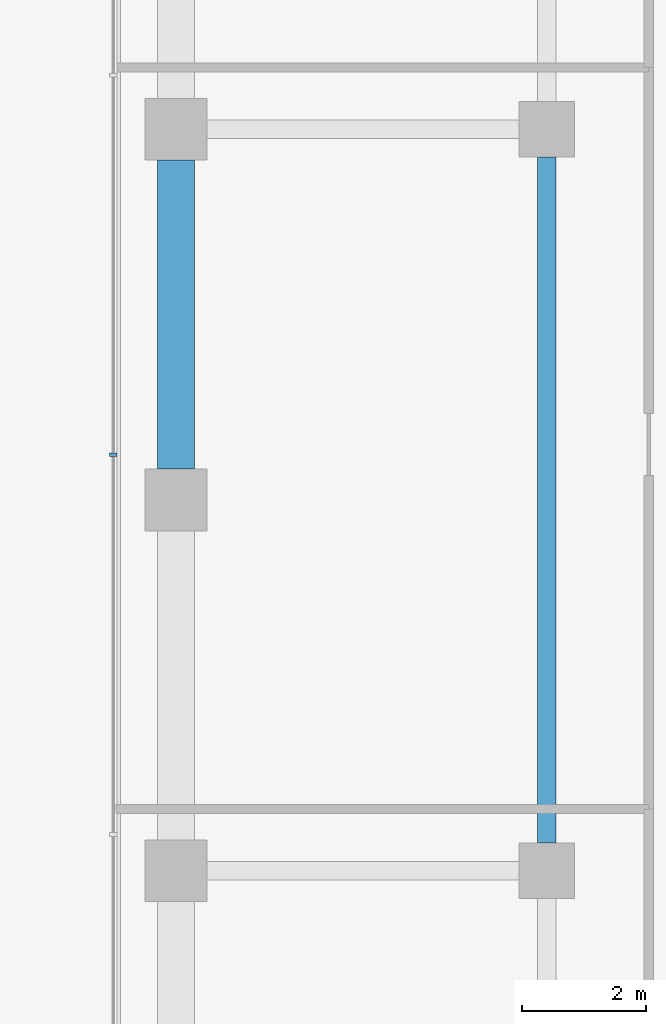
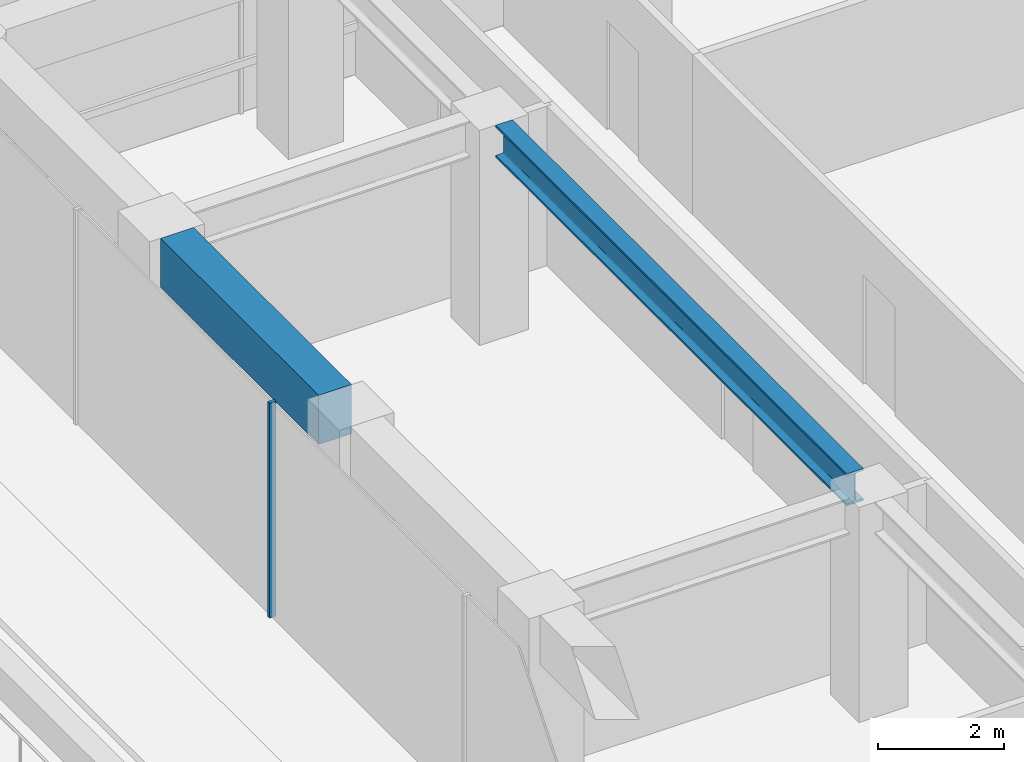
# One storey, part 15 of 31: 2 beams, 1 member, 1 element without a shape of its own.
"""IFC4 building model written with IfcOpenShell, lengths in metres."""

from ifc_helpers import new_model, si_unit, direction, frame, origin, origin_2d, place, context, subcontext, project, spatial, rectangle, i_section, extrude, material, layer, layer_set, material_profile, profile_set, type_object, element, aggregate, save


model = new_model("IFC4")

# Units and contexts
model_context = context("Model", 3, precision=1e-05, world=origin(), true_north=direction((0.0, 1.0)))
body_context = subcontext(model_context, "Body", "Model", "MODEL_VIEW")
ifc_project = project(units=[si_unit("LENGTHUNIT", "METRE"), si_unit("AREAUNIT", "SQUARE_METRE"), si_unit("VOLUMEUNIT", "CUBIC_METRE"), si_unit("PLANEANGLEUNIT", "RADIAN"), si_unit("MASSUNIT", "GRAM", prefix="KILO")], contexts=[model_context])

# Site, building, storey
site_placement = place(None, origin())
site = spatial("IfcSite", under=ifc_project, at=site_placement, CompositionType="ELEMENT")
building_placement = place(site_placement, origin())
building = spatial("IfcBuilding", under=site, at=building_placement, Name="Welwitschia Terrace Campus", CompositionType="ELEMENT")
storey_placement = place(building_placement, frame((0.0, 0.0, 11.0)))
storey = spatial("IfcBuildingStorey", under=building, at=storey_placement, Name="L02", CompositionType="ELEMENT", Elevation=11.0)

# Beam
ifc_material_1 = material(Name="Steel S355", Category="steel")
ifc_material_profile_1 = material_profile(ifc_material_1, i_section(OverallWidth=0.304931640625, OverallDepth=0.6201171875, WebThickness=0.02099609375, FlangeThickness=0.0400390625, FilletRadius=0.027099609375, at=origin_2d()))
ifc_profile_set_1 = profile_set([ifc_material_profile_1], Name="Steel S355")
beam_type_1 = type_object("IfcBeamType", Name="Interior girder HE 600 M", PredefinedType="BEAM", material=ifc_profile_set_1)
beam_1_placement = place(storey_placement, frame((6.0, 44.450439453125, 3.840087890625), z_axis=(0.0, 1.0, 0.0), x_axis=(-1.0, 0.0, 0.0)))
element("IfcBeam", 1, at=beam_1_placement, inside=storey, type_object=beam_type_1, Name="Girder GB1", PredefinedType="BEAM", context=body_context, shape_type="SweptSolid", body=[
    extrude(i_section(OverallWidth=0.304931640625, OverallDepth=0.6201171875, WebThickness=0.02099609375, FlangeThickness=0.0400390625, FilletRadius=0.027099609375, at=origin_2d()), origin(), (0.0, 0.0, 1.0), 11.09912109375),
])

# Curtain wall, member
ifc_material_2 = material(Name="Bronze anodised aluminium", Category="aluminium")
ifc_layer = layer(ifc_material_2, 0.1201171875)
ifc_layer_set = layer_set([ifc_layer], Name="Bronze anodised aluminium")
curtain_wall_type = type_object("IfcCurtainWallType", Name="Curtain wall CW2 tower 6000", PredefinedType="NOTDEFINED", material=ifc_layer_set)
curtain_wall_placement = place(storey_placement, origin())
curtain_wall = element("IfcCurtainWall", 2, at=curtain_wall_placement, inside=storey, type_object=curtain_wall_type, Name="CW L02.9.0", PredefinedType="NOTDEFINED")
ifc_material_3 = material(Name="Bronze anodised aluminium", Category="aluminium")
ifc_material_profile_2 = material_profile(ifc_material_3, rectangle(XDim=0.1201171875, YDim=0.06005859375, at=origin_2d()))
ifc_profile_set_2 = profile_set([ifc_material_profile_2], Name="Bronze anodised aluminium")
member_type = type_object("IfcMemberType", Name="Mullion 60x120", PredefinedType="MULLION", material=ifc_profile_set_2)
member_placement = place(storey_placement, frame((-1.02001953125, 50.7314453125, 0.0), z_axis=(0.0, 0.0, 1.0), x_axis=(1.0, 0.0, 0.0)))
member = element("IfcMember", 3, at=member_placement, type_object=member_type, Name="Mullion L02.9.0.2", PredefinedType="MULLION", context=body_context, shape_type="SweptSolid", body=[
    extrude(rectangle(XDim=0.1201171875, YDim=0.06005859375, at=origin_2d()), origin(), (0.0, 0.0, 1.0), 4.14990234375),
])
aggregate(curtain_wall, [member])

# Beam
ifc_material_4 = material(Name="Concrete C60/75", Category="concrete")
ifc_material_profile_3 = material_profile(ifc_material_4, rectangle(XDim=0.60009765625, YDim=0.949951171875, at=origin_2d()))
ifc_profile_set_3 = profile_set([ifc_material_profile_3], Name="Concrete C60/75")
beam_type_2 = type_object("IfcBeamType", Name="Ring spandrel 600x950", PredefinedType="SPANDREL", material=ifc_profile_set_3)
beam_2_placement = place(storey_placement, frame((0.0, 55.49951171875, 3.675048828125), z_axis=(0.0, -1.0, 0.0), x_axis=(1.0, 0.0, 0.0)))
element("IfcBeam", 4, at=beam_2_placement, inside=storey, type_object=beam_type_2, Name="Spandrel SP1", PredefinedType="SPANDREL", context=body_context, shape_type="SweptSolid", body=[
    extrude(rectangle(XDim=0.60009765625, YDim=0.949951171875, at=origin_2d()), origin(), (0.0, 0.0, 1.0), 4.9990234375),
])

save(model, "model.ifc")
